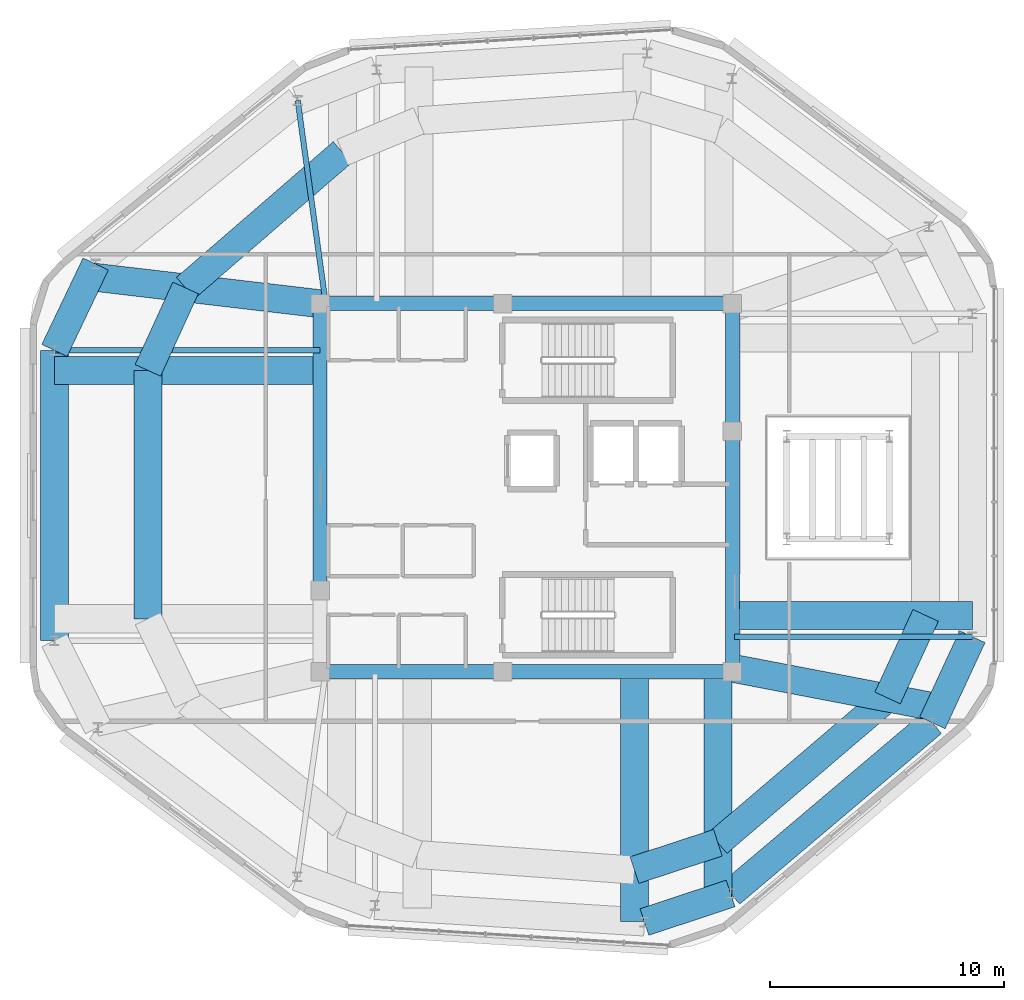
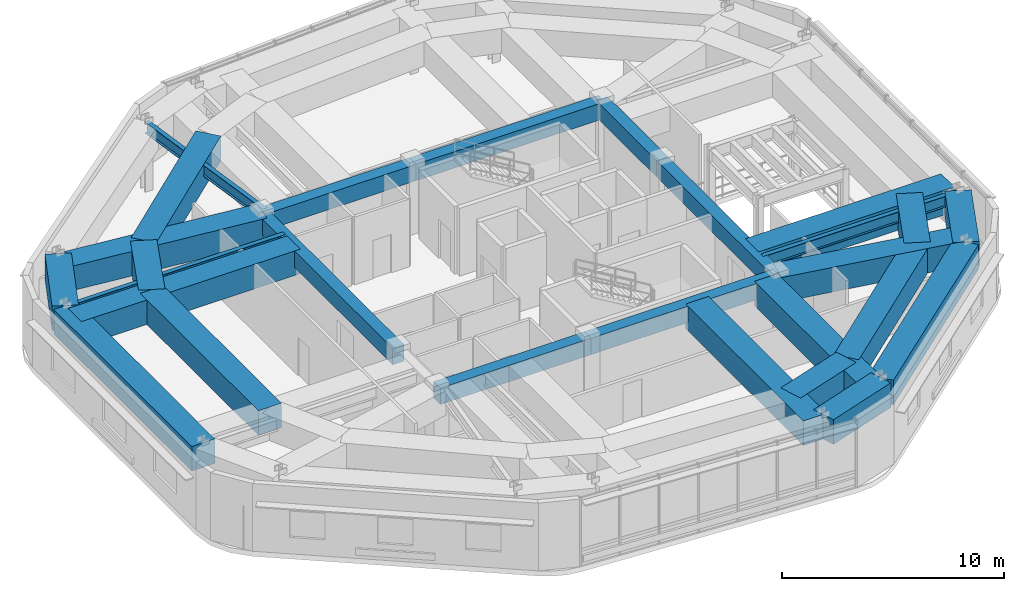
# One storey, part 6 of 17: 27 beams.
"""IFC4 building model written with IfcOpenShell, lengths in metres."""

from ifc_helpers import new_model, si_unit, direction, frame, origin, origin_2d, place, context, subcontext, project, spatial, rectangle, i_section, extrude, material, material_profile, profile_set, type_object, element, save


model = new_model("IFC4")

# Units and contexts
model_context = context("Model", 3, precision=1e-05, world=origin(), true_north=direction((0.0, 1.0)))
body_context = subcontext(model_context, "Body", "Model", "MODEL_VIEW")
ifc_project = project(units=[si_unit("LENGTHUNIT", "METRE"), si_unit("AREAUNIT", "SQUARE_METRE"), si_unit("VOLUMEUNIT", "CUBIC_METRE"), si_unit("PLANEANGLEUNIT", "RADIAN"), si_unit("MASSUNIT", "GRAM", prefix="KILO")], contexts=[model_context])

# Site, building, storey
site_placement = place(None, origin())
site = spatial("IfcSite", under=ifc_project, at=site_placement, CompositionType="ELEMENT")
building_placement = place(site_placement, origin())
building = spatial("IfcBuilding", under=site, at=building_placement, Name="Zulverin Broadcast Headquarters", CompositionType="ELEMENT")
storey_placement = place(building_placement, frame((0.0, 0.0, 317.39990234375)))
storey = spatial("IfcBuildingStorey", under=building, at=storey_placement, Name="C2", CompositionType="ELEMENT", Elevation=317.39990234375)

# Beams
ifc_material_1 = material(Name="Concrete C60/75", Category="concrete")
ifc_material_profile_1 = material_profile(ifc_material_1, rectangle(XDim=0.60009765625, YDim=0.89990234375, at=origin_2d()), Name="Concrete C60/75", Category="concrete")
ifc_profile_set_1 = profile_set([ifc_material_profile_1], Name="Concrete C60/75")
beam_type_1 = type_object("IfcBeamType", Name="BM-CB-600x900", PredefinedType="LINTEL", material=ifc_profile_set_1)
beam_1_placement = place(storey_placement, frame((30.625, 17.324951171875, 3.27001953125), z_axis=(1.0, 0.0, 0.0), x_axis=(0.0, 1.0, 0.0)))
element("IfcBeam", 1, at=beam_1_placement, inside=storey, type_object=beam_type_1, Name="C2 Core Coupling Girder K01-K02", PredefinedType="LINTEL", context=body_context, shape_type="SweptSolid", body=[
    extrude(rectangle(XDim=0.60009765625, YDim=0.89990234375, at=origin_2d()), origin(), (0.0, 0.0, 1.0), 7.824951171875),
])
beam_2_placement = place(storey_placement, frame((38.449951171875, 17.324951171875, 3.27001953125), z_axis=(1.0, 0.0, 0.0), x_axis=(0.0, 1.0, 0.0)))
element("IfcBeam", 2, at=beam_2_placement, inside=storey, type_object=beam_type_1, Name="C2 Core Coupling Girder K02-K03", PredefinedType="LINTEL", context=body_context, shape_type="SweptSolid", body=[
    extrude(rectangle(XDim=0.60009765625, YDim=0.89990234375, at=origin_2d()), origin(), (0.0, 0.0, 1.0), 9.824951171875),
])
beam_3_placement = place(storey_placement, frame((48.27490234375, 17.324951171875, 3.27001953125), z_axis=(0.0, 1.0, 0.0), x_axis=(-1.0, 0.0, 0.0)))
element("IfcBeam", 3, at=beam_3_placement, inside=storey, type_object=beam_type_1, Name="C2 Core Coupling Girder K03-K04", PredefinedType="LINTEL", context=body_context, shape_type="SweptSolid", body=[
    extrude(rectangle(XDim=0.60009765625, YDim=0.89990234375, at=origin_2d()), origin(), (0.0, 0.0, 1.0), 10.295166015625),
])
beam_4_placement = place(storey_placement, frame((48.27490234375, 27.6201171875, 3.27001953125), z_axis=(0.0, 1.0, 0.0), x_axis=(-1.0, 0.0, 0.0)))
element("IfcBeam", 4, at=beam_4_placement, inside=storey, type_object=beam_type_1, Name="C2 Core Coupling Girder K04-K05", PredefinedType="LINTEL", context=body_context, shape_type="SweptSolid", body=[
    extrude(rectangle(XDim=0.60009765625, YDim=0.89990234375, at=origin_2d()), origin(), (0.0, 0.0, 1.0), 5.454833984375),
])
beam_5_placement = place(storey_placement, frame((48.27490234375, 33.074951171875, 3.27001953125), z_axis=(-1.0, 0.0, 0.0), x_axis=(0.0, -1.0, 0.0)))
element("IfcBeam", 5, at=beam_5_placement, inside=storey, type_object=beam_type_1, Name="C2 Core Coupling Girder K05-K06", PredefinedType="LINTEL", context=body_context, shape_type="SweptSolid", body=[
    extrude(rectangle(XDim=0.60009765625, YDim=0.89990234375, at=origin_2d()), origin(), (0.0, 0.0, 1.0), 9.824951171875),
])
beam_6_placement = place(storey_placement, frame((38.449951171875, 33.074951171875, 3.27001953125), z_axis=(-1.0, 0.0, 0.0), x_axis=(0.0, -1.0, 0.0)))
element("IfcBeam", 6, at=beam_6_placement, inside=storey, type_object=beam_type_1, Name="C2 Core Coupling Girder K06-K07", PredefinedType="LINTEL", context=body_context, shape_type="SweptSolid", body=[
    extrude(rectangle(XDim=0.60009765625, YDim=0.89990234375, at=origin_2d()), origin(), (0.0, 0.0, 1.0), 7.824951171875),
])
beam_7_placement = place(storey_placement, frame((30.625, 33.074951171875, 3.27001953125), z_axis=(0.0, -1.0, 0.0), x_axis=(1.0, 0.0, 0.0)))
element("IfcBeam", 7, at=beam_7_placement, inside=storey, type_object=beam_type_1, Name="C2 Core Coupling Girder K07-K08", PredefinedType="LINTEL", context=body_context, shape_type="SweptSolid", body=[
    extrude(rectangle(XDim=0.60009765625, YDim=0.89990234375, at=origin_2d()), origin(), (0.0, 0.0, 1.0), 12.27490234375),
])
ifc_material_2 = material(Name="Concrete C50/60", Category="concrete")
ifc_material_profile_2 = material_profile(ifc_material_2, rectangle(XDim=1.199951171875, YDim=1.35009765625, at=origin_2d()), Name="Concrete C50/60", Category="concrete")
ifc_profile_set_2 = profile_set([ifc_material_profile_2], Name="Concrete C50/60")
beam_type_2 = type_object("IfcBeamType", Name="BM-TG-CRN-1350", PredefinedType="USERDEFINED", material=ifc_profile_set_2)
beam_8_placement = place(storey_placement, frame((44.510498046875, 6.602783203125, 3.045166015625), z_axis=(0.94917852209, 0.314738197878, 0.0), x_axis=(-0.314738197878, 0.94917852209, 0.0)))
element("IfcBeam", 8, at=beam_8_placement, inside=storey, type_object=beam_type_2, Name="C2 Perimeter Transfer Ring Girder SP-02", ObjectType="TRANSFER GIRDER", PredefinedType="USERDEFINED", context=body_context, shape_type="SweptSolid", body=[
    extrude(rectangle(XDim=1.199951171875, YDim=1.35009765625, at=origin_2d()), origin(), (0.0, 0.0, 1.0), 3.885498046875),
])
beam_9_placement = place(storey_placement, frame((48.198486328125, 7.82568359375, 3.045166015625), z_axis=(0.763587561037, 0.645704295038, 0.0), x_axis=(-0.645704295038, 0.763587561037, 0.0)))
element("IfcBeam", 9, at=beam_9_placement, inside=storey, type_object=beam_type_2, Name="C2 Perimeter Transfer Ring Girder SP-03", ObjectType="TRANSFER GIRDER", PredefinedType="USERDEFINED", context=body_context, shape_type="SweptSolid", body=[
    extrude(rectangle(XDim=1.199951171875, YDim=1.35009765625, at=origin_2d()), origin(), (0.0, 0.0, 1.0), 11.316162109375),
])
beam_10_placement = place(storey_placement, frame((56.83935546875, 15.132568359375, 3.045166015625), z_axis=(0.420881870179, 0.907115456463, 0.0), x_axis=(-0.907115456463, 0.420881870179, 0.0)))
element("IfcBeam", 10, at=beam_10_placement, inside=storey, type_object=beam_type_2, Name="C2 Perimeter Transfer Ring Girder SP-04", ObjectType="TRANSFER GIRDER", PredefinedType="USERDEFINED", context=body_context, shape_type="SweptSolid", body=[
    extrude(rectangle(XDim=1.199951171875, YDim=1.35009765625, at=origin_2d()), origin(), (0.0, 0.0, 1.0), 4.064453125),
])
beam_11_placement = place(storey_placement, frame((21.015625, 34.77587890625, 3.045166015625), z_axis=(-0.430654629298, -0.902516808854, 0.0), x_axis=(0.902516808854, -0.430654629298, 0.0)))
element("IfcBeam", 11, at=beam_11_placement, inside=storey, type_object=beam_type_2, Name="C2 Perimeter Transfer Ring Girder SP-12", ObjectType="TRANSFER GIRDER", PredefinedType="USERDEFINED", context=body_context, shape_type="SweptSolid", body=[
    extrude(rectangle(XDim=1.199951171875, YDim=1.35009765625, at=origin_2d()), origin(), (0.0, 0.0, 1.0), 4.099853515625),
])
beam_12_placement = place(storey_placement, frame((19.25, 31.07568359375, 3.045166015625), z_axis=(0.0, -1.0, 0.0), x_axis=(1.0, 0.0, 0.0)))
element("IfcBeam", 12, at=beam_12_placement, inside=storey, type_object=beam_type_2, Name="C2 Perimeter Transfer Ring Girder SP-13", ObjectType="TRANSFER GIRDER", PredefinedType="USERDEFINED", context=body_context, shape_type="SweptSolid", body=[
    extrude(rectangle(XDim=1.199951171875, YDim=1.35009765625, at=origin_2d()), origin(), (0.0, 0.0, 1.0), 12.4248046875),
])
beam_13_placement = place(storey_placement, frame((44.08349609375, 17.22509765625, 3.045166015625), z_axis=(0.0, -1.0, 0.0), x_axis=(1.0, 0.0, 0.0)))
element("IfcBeam", 13, at=beam_13_placement, inside=storey, type_object=beam_type_2, Name="C3 Step Transfer Girder TG-02", ObjectType="TRANSFER GIRDER", PredefinedType="USERDEFINED", context=body_context, shape_type="SweptSolid", body=[
    extrude(rectangle(XDim=1.199951171875, YDim=1.35009765625, at=origin_2d()), origin(), (0.0, 0.0, 1.0), 10.595947265625),
])
beam_14_placement = place(storey_placement, frame((44.08349609375, 8.823974609375, 3.045166015625), z_axis=(0.950070258363, 0.312036062299, 0.0), x_axis=(-0.312036062299, 0.950070258363, 0.0)))
element("IfcBeam", 14, at=beam_14_placement, inside=storey, type_object=beam_type_2, Name="C3 Step Transfer Ring Girder TGR-02", ObjectType="TRANSFER GIRDER", PredefinedType="USERDEFINED", context=body_context, shape_type="SweptSolid", body=[
    extrude(rectangle(XDim=1.199951171875, YDim=1.35009765625, at=origin_2d()), origin(), (0.0, 0.0, 1.0), 3.759521484375),
])
beam_15_placement = place(storey_placement, frame((47.6552734375, 17.22509765625, 3.045166015625), z_axis=(0.0, -1.0, 0.0), x_axis=(1.0, 0.0, 0.0)))
element("IfcBeam", 15, at=beam_15_placement, inside=storey, type_object=beam_type_2, Name="C3 Step Transfer Girder TG-03", ObjectType="TRANSFER GIRDER", PredefinedType="USERDEFINED", context=body_context, shape_type="SweptSolid", body=[
    extrude(rectangle(XDim=1.199951171875, YDim=1.35009765625, at=origin_2d()), origin(), (0.0, 0.0, 1.0), 9.57958984375),
])
beam_16_placement = place(storey_placement, frame((47.6552734375, 9.9970703125, 3.045166015625), z_axis=(0.760638685458, 0.649175469488, 0.0), x_axis=(-0.649175469488, 0.760638685458, 0.0)))
element("IfcBeam", 16, at=beam_16_placement, inside=storey, type_object=beam_type_2, Name="C3 Step Transfer Ring Girder TGR-03", ObjectType="TRANSFER GIRDER", PredefinedType="USERDEFINED", context=body_context, shape_type="SweptSolid", body=[
    extrude(rectangle(XDim=1.199951171875, YDim=1.35009765625, at=origin_2d()), origin(), (0.0, 0.0, 1.0), 9.552001953125),
])
beam_17_placement = place(storey_placement, frame((48.375, 17.449951171875, 3.045166015625), z_axis=(0.982197437549, -0.18785152028, 0.0), x_axis=(0.18785152028, 0.982197437549, 0.0)))
element("IfcBeam", 17, at=beam_17_placement, inside=storey, type_object=beam_type_2, Name="C3 Step Transfer Girder TG-04", ObjectType="TRANSFER GIRDER", PredefinedType="USERDEFINED", context=body_context, shape_type="SweptSolid", body=[
    extrude(rectangle(XDim=1.199951171875, YDim=1.35009765625, at=origin_2d()), origin(), (0.0, 0.0, 1.0), 8.920654296875),
])
beam_18_placement = place(storey_placement, frame((54.9208984375, 16.197998046875, 3.045166015625), z_axis=(0.418847206276, 0.908056726089, 0.0), x_axis=(-0.908056726089, 0.418847206276, 0.0)))
element("IfcBeam", 18, at=beam_18_placement, inside=storey, type_object=beam_type_2, Name="C3 Step Transfer Ring Girder TGR-04", ObjectType="TRANSFER GIRDER", PredefinedType="USERDEFINED", context=body_context, shape_type="SweptSolid", body=[
    extrude(rectangle(XDim=1.199951171875, YDim=1.35009765625, at=origin_2d()), origin(), (0.0, 0.0, 1.0), 3.8896484375),
])
beam_19_placement = place(storey_placement, frame((48.375, 19.72998046875, 3.045166015625), z_axis=(1.0, 0.0, 0.0), x_axis=(0.0, 1.0, 0.0)))
element("IfcBeam", 19, at=beam_19_placement, inside=storey, type_object=beam_type_2, Name="C3 Step Transfer Girder TG-05", ObjectType="TRANSFER GIRDER", PredefinedType="USERDEFINED", context=body_context, shape_type="SweptSolid", body=[
    extrude(rectangle(XDim=1.199951171875, YDim=1.35009765625, at=origin_2d()), origin(), (0.0, 0.0, 1.0), 10.175048828125),
])
beam_20_placement = place(storey_placement, frame((31.581298828125, 39.558837890625, 3.045166015625), z_axis=(-0.756482279047, -0.654014190586, 0.0), x_axis=(0.654014190586, -0.756482279047, 0.0)))
element("IfcBeam", 20, at=beam_20_placement, inside=storey, type_object=beam_type_2, Name="C3 Step Transfer Ring Girder TGR-11", ObjectType="TRANSFER GIRDER", PredefinedType="USERDEFINED", context=body_context, shape_type="SweptSolid", body=[
    extrude(rectangle(XDim=1.199951171875, YDim=1.35009765625, at=origin_2d()), origin(), (0.0, 0.0, 1.0), 8.8798828125),
])
beam_21_placement = place(storey_placement, frame((30.625, 33.074951171875, 3.045166015625), z_axis=(-0.993183103478, 0.11656467289, 0.0), x_axis=(-0.11656467289, -0.993183103478, 0.0)))
element("IfcBeam", 21, at=beam_21_placement, inside=storey, type_object=beam_type_2, Name="C3 Step Transfer Girder TG-12", ObjectType="TRANSFER GIRDER", PredefinedType="USERDEFINED", context=body_context, shape_type="SweptSolid", body=[
    extrude(rectangle(XDim=1.199951171875, YDim=1.35009765625, at=origin_2d()), origin(), (0.0, 0.0, 1.0), 9.93603515625),
])
beam_22_placement = place(storey_placement, frame((24.86376953125, 33.751220703125, 3.045166015625), z_axis=(-0.415887631257, -0.909416009408, 0.0), x_axis=(0.909416009408, -0.415887631257, 0.0)))
element("IfcBeam", 22, at=beam_22_placement, inside=storey, type_object=beam_type_2, Name="C3 Step Transfer Ring Girder TGR-12", ObjectType="TRANSFER GIRDER", PredefinedType="USERDEFINED", context=body_context, shape_type="SweptSolid", body=[
    extrude(rectangle(XDim=1.199951171875, YDim=1.35009765625, at=origin_2d()), origin(), (0.0, 0.0, 1.0), 3.88037109375),
])
beam_23_placement = place(storey_placement, frame((30.625, 30.222412109375, 3.045166015625), z_axis=(-1.0, 0.0, 0.0), x_axis=(0.0, -1.0, 0.0)))
element("IfcBeam", 23, at=beam_23_placement, inside=storey, type_object=beam_type_2, Name="C3 Step Transfer Girder TG-13", ObjectType="TRANSFER GIRDER", PredefinedType="USERDEFINED", context=body_context, shape_type="SweptSolid", body=[
    extrude(rectangle(XDim=1.199951171875, YDim=1.35009765625, at=origin_2d()), origin(), (0.0, 0.0, 1.0), 11.375),
])
beam_24_placement = place(storey_placement, frame((23.25, 30.222412109375, 3.045166015625), z_axis=(0.0, -1.0, 0.0), x_axis=(1.0, 0.0, 0.0)))
element("IfcBeam", 24, at=beam_24_placement, inside=storey, type_object=beam_type_2, Name="C3 Step Transfer Ring Girder TGR-13", ObjectType="TRANSFER GIRDER", PredefinedType="USERDEFINED", context=body_context, shape_type="SweptSolid", body=[
    extrude(rectangle(XDim=1.199951171875, YDim=1.35009765625, at=origin_2d()), origin(), (0.0, 0.0, 1.0), 10.635009765625),
])
ifc_material_3 = material(Name="Structural steel S355JR", Category="steel")
ifc_material_profile_3 = material_profile(ifc_material_3, i_section(OverallWidth=0.230224609375, OverallDepth=0.6171875, WebThickness=0.01318359375, FlangeThickness=0.022216796875, at=origin_2d()), Name="Structural steel S355JR", Category="steel")
ifc_profile_set_3 = profile_set([ifc_material_profile_3], Name="Structural steel S355JR")
beam_type_3 = type_object("IfcBeamType", Name="BM-UB-610", PredefinedType="BEAM", material=ifc_profile_set_3)
beam_25_placement = place(storey_placement, frame((48.375, 18.819580078125, 3.411376953125), z_axis=(1.0, 0.0, 0.0), x_axis=(0.0, 1.0, 0.0)))
element("IfcBeam", 25, at=beam_25_placement, inside=storey, type_object=beam_type_3, Name="C2 Radial Primary Floor Beam RB-05", PredefinedType="BEAM", context=body_context, shape_type="SweptSolid", body=[
    extrude(i_section(OverallWidth=0.230224609375, OverallDepth=0.6171875, WebThickness=0.01318359375, FlangeThickness=0.022216796875, at=origin_2d()), origin(), (0.0, 0.0, 1.0), 10.175048828125),
])
beam_26_placement = place(storey_placement, frame((30.85009765625, 33.175048828125, 3.411376953125), z_axis=(-0.136400473555, 0.990653779488, 0.0), x_axis=(-0.990653779488, -0.136400473555, 0.0)))
element("IfcBeam", 26, at=beam_26_placement, inside=storey, type_object=beam_type_3, Name="C2 Radial Primary Floor Beam RB-11", PredefinedType="BEAM", context=body_context, shape_type="SweptSolid", body=[
    extrude(i_section(OverallWidth=0.230224609375, OverallDepth=0.6171875, WebThickness=0.01318359375, FlangeThickness=0.022216796875, at=origin_2d()), origin(), (0.0, 0.0, 1.0), 8.6826171875),
])
beam_27_placement = place(storey_placement, frame((30.625, 31.07568359375, 3.411376953125), z_axis=(-1.0, 0.0, 0.0), x_axis=(0.0, -1.0, 0.0)))
element("IfcBeam", 27, at=beam_27_placement, inside=storey, type_object=beam_type_3, Name="C2 Radial Primary Floor Beam RB-13", PredefinedType="BEAM", context=body_context, shape_type="SweptSolid", body=[
    extrude(i_section(OverallWidth=0.230224609375, OverallDepth=0.6171875, WebThickness=0.01318359375, FlangeThickness=0.022216796875, at=origin_2d()), origin(), (0.0, 0.0, 1.0), 11.375),
])

save(model, "model.ifc")
